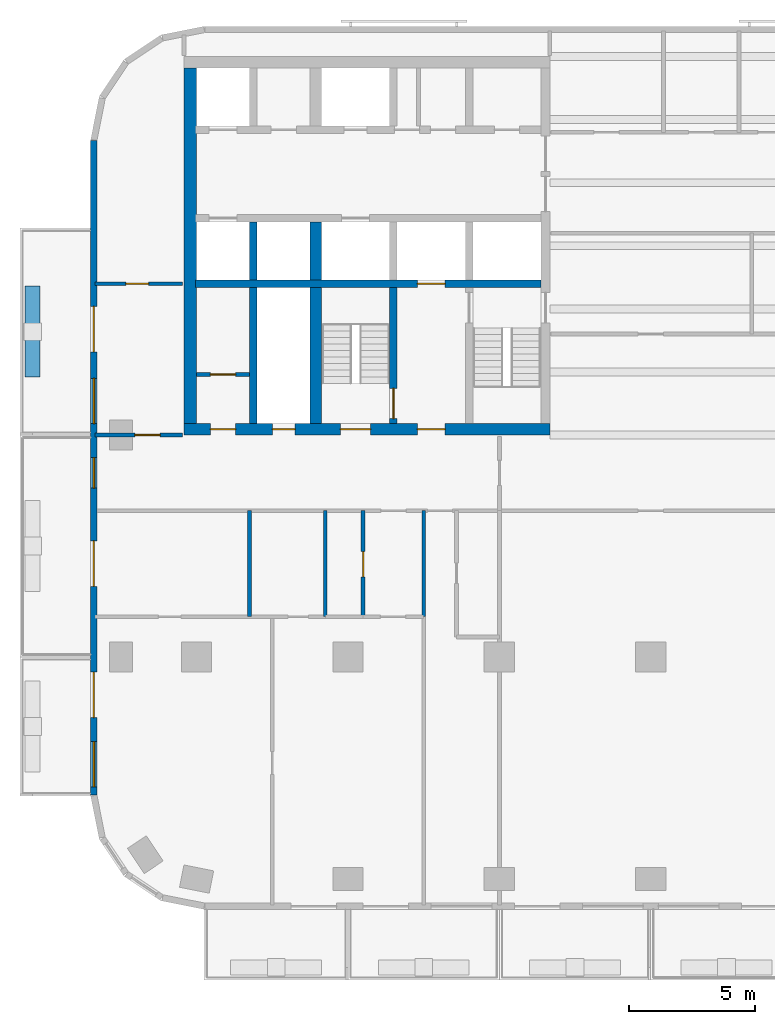
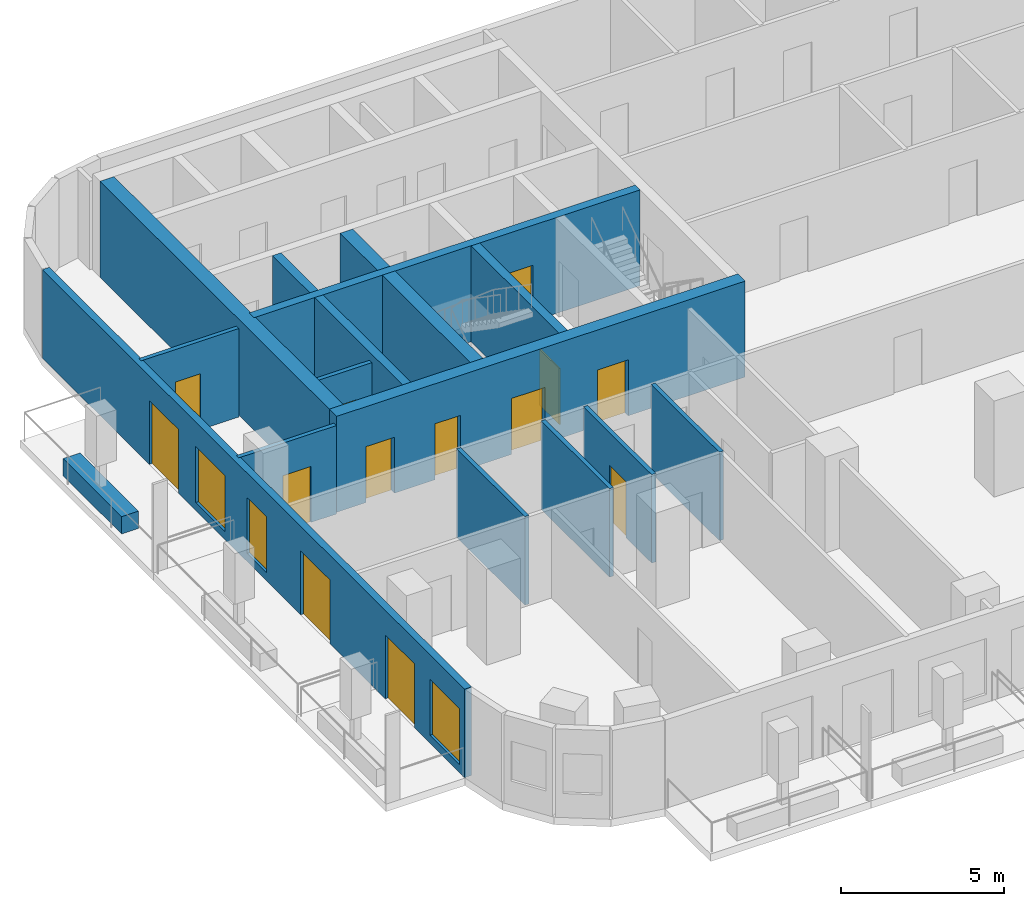
# One storey, part 3 of 11: 17 walls, 13 doors, 3 windows, 16 openings.
"""IFC4 building model written with IfcOpenShell, lengths in metres."""

from ifc_helpers import new_model, si_unit, direction, frame, frame_2d, origin, place, context, subcontext, project, spatial, rectangle, extrude, material, layer, layer_set, type_object, element, fill, save


model = new_model("IFC4")

# Units and contexts
model_context = context("Model", 3, precision=1e-05, world=origin(), true_north=direction((0.0, 1.0)))
body_context = subcontext(model_context, "Body", "Model", "MODEL_VIEW")
ifc_project = project(units=[si_unit("LENGTHUNIT", "METRE"), si_unit("AREAUNIT", "SQUARE_METRE"), si_unit("VOLUMEUNIT", "CUBIC_METRE"), si_unit("PLANEANGLEUNIT", "RADIAN"), si_unit("MASSUNIT", "GRAM", prefix="KILO")], contexts=[model_context])

# Site, building, storey
site_placement = place(None, origin())
site = spatial("IfcSite", under=ifc_project, at=site_placement, CompositionType="ELEMENT")
building_placement = place(site_placement, origin())
building = spatial("IfcBuilding", under=site, at=building_placement, Name="Torana Hotel and Residences", CompositionType="ELEMENT")
storey_placement = place(building_placement, frame((0.0, 0.0, 130.800048828125)))
storey = spatial("IfcBuildingStorey", under=building, at=storey_placement, Name="L33", CompositionType="ELEMENT", Elevation=130.800048828125)

# Wall, opening, door
ifc_material_1 = material(Name="Concrete C70/85", Category="concrete")
ifc_layer_1 = layer(ifc_material_1, 0.300048828125)
ifc_layer_set_1 = layer_set([ifc_layer_1], Name="CORE WALL 300 C70/85")
wall_type_1 = type_object("IfcWallType", Name="CORE WALL 300 C70/85", PredefinedType="SHEAR", material=ifc_layer_set_1)
wall_1_placement = place(storey_placement, frame((-24.050048828125, -9.0, 0.0), z_axis=(0.0, 0.0, 1.0), x_axis=(1.0, 0.0, 0.0)))
wall_1 = element("IfcWall", 1, at=wall_1_placement, inside=storey, type_object=wall_type_1, Name="Core wall W band", PredefinedType="SHEAR", context=body_context, shape_type="SweptSolid", body=[
    extrude(rectangle(XDim=13.699951171875, YDim=0.300048828125, at=frame_2d((6.85009765625, 0.0))), origin(), (0.0, 0.0, 1.0), 3.599853515625),
])
opening_1_placement = place(wall_1_placement, frame((8.800048828125, 0.0, 0.0)))
opening_1 = element("IfcOpeningElement", 2, at=opening_1_placement, cuts=wall_1, Name="Opening LD", PredefinedType="OPENING", context=body_context, shape_type="SweptSolid", body=[
    extrude(rectangle(XDim=1.10009765625, YDim=2.10009765625, at=frame_2d((0.550048828125, 1.050048828125))), frame((0.0, 0.159912109375, 0.0), z_axis=(0.0, -1.0, 0.0), x_axis=(1.0, 0.0, 0.0)), (0.0, 0.0, 1.0), 0.320068359375),
])
ifc_material_2 = material(Name="Stainless steel 316", Category="steel")
door_type_1 = type_object("IfcDoorType", Name="LIFT LANDING DOOR LD 1100x2100", OperationType="DOUBLE_DOOR_SLIDING", PredefinedType="USERDEFINED", material=ifc_material_2)
door_1_placement = place(opening_1_placement, origin())
door_1 = element("IfcDoor", 3, at=door_1_placement, inside=storey, type_object=door_type_1, Name="Lift landing door FF1 L33", ObjectType="LIFT LANDING DOOR", OperationType="DOUBLE_DOOR_SLIDING", OverallHeight=2.10009765625, OverallWidth=1.10009765625, PredefinedType="USERDEFINED", context=body_context, shape_type="SweptSolid", body=[
    extrude(rectangle(XDim=1.10009765625, YDim=2.10009765625, at=frame_2d((0.550048828125, 1.050048828125))), frame((0.0, 0.02490234375, 0.0), z_axis=(0.0, -1.0, 0.0), x_axis=(1.0, 0.0, 0.0)), (0.0, 0.0, 1.0), 0.050048828125),
])
fill(opening_1, door_1)

wall_2_placement = place(storey_placement, frame((-16.199951171875, -14.550048828125, 0.0), z_axis=(0.0, 0.0, 1.0), x_axis=(0.0, 1.0, 0.0)))
wall_2 = element("IfcWall", 4, at=wall_2_placement, inside=storey, type_object=wall_type_1, Name="Core wall W x6.05-band", PredefinedType="SHEAR", context=body_context, shape_type="SweptSolid", body=[
    extrude(rectangle(XDim=5.400146484375, YDim=0.300048828125, at=frame_2d((2.7001953125, 0.0))), origin(), (0.0, 0.0, 1.0), 3.599853515625),
])
opening_2_placement = place(wall_2_placement, frame((0.199951171875, 0.0, 0.0)))
opening_2 = element("IfcOpeningElement", 5, at=opening_2_placement, cuts=wall_2, Name="Opening L33-14", PredefinedType="OPENING", context=body_context, shape_type="SweptSolid", body=[
    extrude(rectangle(XDim=1.199951171875, YDim=2.10009765625, at=frame_2d((0.60009765625, 1.050048828125))), frame((0.0, 0.159912109375, 0.0), z_axis=(0.0, -1.0, 0.0), x_axis=(1.0, 0.0, 0.0)), (0.0, 0.0, 1.0), 0.320068359375),
])
ifc_material_3 = material(Name="Steel S235", Category="steel")
door_type_2 = type_object("IfcDoorType", Name="STAIR FIRE DOOR D3 1200x2100", OperationType="SINGLE_SWING_LEFT", PredefinedType="DOOR", material=ifc_material_3)
door_2_placement = place(opening_2_placement, origin())
door_2 = element("IfcDoor", 6, at=door_2_placement, inside=storey, type_object=door_type_2, Name="Stair-B-lobby door L33", OperationType="SINGLE_SWING_RIGHT", OverallHeight=2.10009765625, OverallWidth=1.199951171875, PredefinedType="DOOR", context=body_context, shape_type="SweptSolid", body=[
    extrude(rectangle(XDim=1.199951171875, YDim=2.10009765625, at=frame_2d((0.60009765625, 1.050048828125))), frame((0.0, 0.02490234375, 0.0), z_axis=(0.0, -1.0, 0.0), x_axis=(1.0, 0.0, 0.0)), (0.0, 0.0, 1.0), 0.050048828125),
])
fill(opening_2, door_2)

# Walls
wall_3_placement = place(storey_placement, frame((-21.75, -8.85009765625, 0.0), z_axis=(0.0, 0.0, 1.0), x_axis=(0.0, 1.0, 0.0)))
element("IfcWall", 7, at=wall_3_placement, inside=storey, type_object=wall_type_1, Name="Core wall W mm-S", PredefinedType="SHEAR", context=body_context, shape_type="SweptSolid", body=[
    extrude(rectangle(XDim=2.300048828125, YDim=0.300048828125, at=frame_2d((1.14990234375, 0.0))), origin(), (0.0, 0.0, 1.0), 3.599853515625),
])
wall_4_placement = place(storey_placement, frame((-21.75, -14.550048828125, 0.0), z_axis=(0.0, 0.0, 1.0), x_axis=(0.0, 1.0, 0.0)))
element("IfcWall", 8, at=wall_4_placement, inside=storey, type_object=wall_type_1, Name="Core wall W mm-band", PredefinedType="SHEAR", context=body_context, shape_type="SweptSolid", body=[
    extrude(rectangle(XDim=5.400146484375, YDim=0.300048828125, at=frame_2d((2.7001953125, 0.0))), origin(), (0.0, 0.0, 1.0), 3.599853515625),
])

# Wall, openings, doors
ifc_material_4 = material(Name="Concrete C70/85", Category="concrete")
ifc_layer_2 = layer(ifc_material_4, 0.449951171875)
ifc_layer_set_2 = layer_set([ifc_layer_2], Name="CORE WALL 450 C70/85")
wall_type_2 = type_object("IfcWallType", Name="CORE WALL 450 C70/85", PredefinedType="SHEAR", material=ifc_layer_set_2)
wall_5_placement = place(storey_placement, frame((-24.5, -14.77490234375, 0.0), z_axis=(0.0, 0.0, 1.0), x_axis=(1.0, 0.0, 0.0)))
wall_5 = element("IfcWall", 9, at=wall_5_placement, inside=storey, type_object=wall_type_2, Name="Core wall W front", PredefinedType="SHEAR", context=body_context, shape_type="SweptSolid", body=[
    extrude(rectangle(XDim=14.5, YDim=0.449951171875, at=frame_2d((7.25, 0.0))), origin(), (0.0, 0.0, 1.0), 3.599853515625),
])
opening_3_placement = place(wall_5_placement, frame((6.199951171875, 0.0, 0.0)))
opening_3 = element("IfcOpeningElement", 10, at=opening_3_placement, cuts=wall_5, Name="Opening L33-04", PredefinedType="OPENING", context=body_context, shape_type="SweptSolid", body=[
    extrude(rectangle(XDim=1.199951171875, YDim=2.10009765625, at=frame_2d((0.60009765625, 1.050048828125))), frame((0.0, 0.23486328125, 0.0), z_axis=(0.0, -1.0, 0.0), x_axis=(1.0, 0.0, 0.0)), (0.0, 0.0, 1.0), 0.469970703125),
])
opening_4_placement = place(wall_5_placement, frame((9.25, 0.0, 0.0)))
opening_4 = element("IfcOpeningElement", 11, at=opening_4_placement, cuts=wall_5, Name="Opening L33-05", PredefinedType="OPENING", context=body_context, shape_type="SweptSolid", body=[
    extrude(rectangle(XDim=1.10009765625, YDim=2.10009765625, at=frame_2d((0.550048828125, 1.050048828125))), frame((0.0, 0.23486328125, 0.0), z_axis=(0.0, -1.0, 0.0), x_axis=(1.0, 0.0, 0.0)), (0.0, 0.0, 1.0), 0.469970703125),
])
opening_5_placement = place(wall_5_placement, frame((3.5, 0.0, 0.0)))
opening_5 = element("IfcOpeningElement", 12, at=opening_5_placement, cuts=wall_5, Name="Opening L33-06", PredefinedType="OPENING", context=body_context, shape_type="SweptSolid", body=[
    extrude(rectangle(XDim=0.89990234375, YDim=2.10009765625, at=frame_2d((0.449951171875, 1.050048828125))), frame((0.0, 0.23486328125, 0.0), z_axis=(0.0, -1.0, 0.0), x_axis=(1.0, 0.0, 0.0)), (0.0, 0.0, 1.0), 0.469970703125),
])
opening_6_placement = place(wall_5_placement, frame((1.050048828125, 0.0, 0.0)))
opening_6 = element("IfcOpeningElement", 13, at=opening_6_placement, cuts=wall_5, Name="Opening L33-07", PredefinedType="OPENING", context=body_context, shape_type="SweptSolid", body=[
    extrude(rectangle(XDim=1.0, YDim=2.10009765625, at=frame_2d((0.5, 1.050048828125))), frame((0.0, 0.23486328125, 0.0), z_axis=(0.0, -1.0, 0.0), x_axis=(1.0, 0.0, 0.0)), (0.0, 0.0, 1.0), 0.469970703125),
])
ifc_material_5 = material(Name="Steel S235", Category="steel")
door_type_3 = type_object("IfcDoorType", Name="CORE ROOM FIRE DOOR D14 1000x2100", OperationType="SINGLE_SWING_LEFT", PredefinedType="DOOR", material=ifc_material_5)
door_3_placement = place(opening_6_placement, origin())
door_3 = element("IfcDoor", 14, at=door_3_placement, inside=storey, type_object=door_type_3, Name="M-Room-B door L33", OperationType="SINGLE_SWING_RIGHT", OverallHeight=2.10009765625, OverallWidth=1.0, PredefinedType="DOOR", context=body_context, shape_type="SweptSolid", body=[
    extrude(rectangle(XDim=1.0, YDim=2.10009765625, at=frame_2d((0.5, 1.050048828125))), frame((0.0, 0.02490234375, 0.0), z_axis=(0.0, -1.0, 0.0), x_axis=(1.0, 0.0, 0.0)), (0.0, 0.0, 1.0), 0.050048828125),
])
fill(opening_6, door_3)
ifc_material_6 = material(Name="Steel S235", Category="steel")
door_type_4 = type_object("IfcDoorType", Name="FIRE-FIGHTING LOBBY DOOR D8 1100x2100", OperationType="SINGLE_SWING_LEFT", PredefinedType="DOOR", material=ifc_material_6)
door_4_placement = place(opening_4_placement, origin())
door_4 = element("IfcDoor", 15, at=door_4_placement, inside=storey, type_object=door_type_4, Name="FF-lobby door L33", OperationType="SINGLE_SWING_RIGHT", OverallHeight=2.10009765625, OverallWidth=1.10009765625, PredefinedType="DOOR", context=body_context, shape_type="SweptSolid", body=[
    extrude(rectangle(XDim=1.10009765625, YDim=2.10009765625, at=frame_2d((0.550048828125, 1.050048828125))), frame((0.0, 0.02490234375, 0.0), z_axis=(0.0, -1.0, 0.0), x_axis=(1.0, 0.0, 0.0)), (0.0, 0.0, 1.0), 0.050048828125),
])
fill(opening_4, door_4)
ifc_material_7 = material(Name="Steel S235", Category="steel")
door_type_5 = type_object("IfcDoorType", Name="RISER ACCESS DOOR D5 900x2100", OperationType="SINGLE_SWING_LEFT", PredefinedType="DOOR", material=ifc_material_7)
door_5_placement = place(opening_5_placement, origin())
door_5 = element("IfcDoor", 16, at=door_5_placement, inside=storey, type_object=door_type_5, Name="M-Riser door L33", OperationType="SINGLE_SWING_RIGHT", OverallHeight=2.10009765625, OverallWidth=0.89990234375, PredefinedType="DOOR", context=body_context, shape_type="SweptSolid", body=[
    extrude(rectangle(XDim=0.89990234375, YDim=2.10009765625, at=frame_2d((0.449951171875, 1.050048828125))), frame((0.0, 0.02490234375, 0.0), z_axis=(0.0, -1.0, 0.0), x_axis=(1.0, 0.0, 0.0)), (0.0, 0.0, 1.0), 0.050048828125),
])
fill(opening_5, door_5)
door_6_placement = place(opening_3_placement, origin())
door_6 = element("IfcDoor", 17, at=door_6_placement, inside=storey, type_object=door_type_2, Name="Stair-B door L33", OperationType="SINGLE_SWING_RIGHT", OverallHeight=2.10009765625, OverallWidth=1.199951171875, PredefinedType="DOOR", context=body_context, shape_type="SweptSolid", body=[
    extrude(rectangle(XDim=1.199951171875, YDim=2.10009765625, at=frame_2d((0.60009765625, 1.050048828125))), frame((0.0, 0.02490234375, 0.0), z_axis=(0.0, -1.0, 0.0), x_axis=(1.0, 0.0, 0.0)), (0.0, 0.0, 1.0), 0.050048828125),
])
fill(opening_3, door_6)

# Walls
wall_6_placement = place(storey_placement, frame((-19.27490234375, -8.85009765625, 0.0), z_axis=(0.0, 0.0, 1.0), x_axis=(0.0, 1.0, 0.0)))
element("IfcWall", 18, at=wall_6_placement, inside=storey, type_object=wall_type_2, Name="Core wall W hm-S", PredefinedType="SHEAR", context=body_context, shape_type="SweptSolid", body=[
    extrude(rectangle(XDim=2.300048828125, YDim=0.449951171875, at=frame_2d((1.14990234375, 0.0))), origin(), (0.0, 0.0, 1.0), 3.599853515625),
])
wall_7_placement = place(storey_placement, frame((-19.27490234375, -14.550048828125, 0.0), z_axis=(0.0, 0.0, 1.0), x_axis=(0.0, 1.0, 0.0)))
element("IfcWall", 19, at=wall_7_placement, inside=storey, type_object=wall_type_2, Name="Core wall W hm-band", PredefinedType="SHEAR", context=body_context, shape_type="SweptSolid", body=[
    extrude(rectangle(XDim=5.400146484375, YDim=0.449951171875, at=frame_2d((2.7001953125, 0.0))), origin(), (0.0, 0.0, 1.0), 3.599853515625),
])
ifc_material_8 = material(Name="Concrete C70/85", Category="concrete")
ifc_layer_3 = layer(ifc_material_8, 0.5)
ifc_layer_set_3 = layer_set([ifc_layer_3], Name="CORE WALL 500 C70/85")
wall_type_3 = type_object("IfcWallType", Name="CORE WALL 500 C70/85", PredefinedType="SHEAR", material=ifc_layer_set_3)
wall_8_placement = place(storey_placement, frame((-24.25, -14.550048828125, 0.0), z_axis=(0.0, 0.0, 1.0), x_axis=(0.0, 1.0, 0.0)))
element("IfcWall", 20, at=wall_8_placement, inside=storey, type_object=wall_type_3, Name="Core wall W outer", PredefinedType="SHEAR", context=body_context, shape_type="SweptSolid", body=[
    extrude(rectangle(XDim=14.10009765625, YDim=0.5, at=frame_2d((7.050048828125, 0.0))), origin(), (0.0, 0.0, 1.0), 3.599853515625),
])

# Wall, openings, doors, windows
ifc_material_9 = material(Name="Black aluminium composite panel", Category="aluminium")
ifc_layer_4 = layer(ifc_material_9, 0.00390625, Name="Cladding", Category="cladding")
ifc_material_10 = material(Name="Ventilated air cavity")
ifc_layer_5 = layer(ifc_material_10, 0.0400390625, Name="Ventilated cavity", Category="cavity")
ifc_material_11 = material(Name="Mineral wool insulation")
ifc_layer_6 = layer(ifc_material_11, 0.090087890625, Name="Insulation", Category="insulation")
ifc_material_12 = material(Name="Steel S280GD", Category="steel")
ifc_layer_7 = layer(ifc_material_12, 0.092041015625, Name="Steel stud frame", Category="structure")
ifc_material_13 = material(Name="Fire rated plasterboard")
ifc_layer_8 = layer(ifc_material_13, 0.011962890625, Name="Inner board", Category="finish")
ifc_layer_9 = layer(ifc_material_13, 0.011962890625, Name="Second board", Category="finish")
ifc_layer_set_4 = layer_set([ifc_layer_4, ifc_layer_5, ifc_layer_6, ifc_layer_7, ifc_layer_8, ifc_layer_9], Name="EW1 EXTERNAL WALL BLACK METAL CLAD 250")
wall_type_4 = type_object("IfcWallType", Name="EW1 EXTERNAL WALL BLACK METAL CLAD 250", PredefinedType="SOLIDWALL", material=ifc_layer_set_4)
wall_9_placement = place(storey_placement, frame((-28.074951171875, -3.32470703125, 0.0), z_axis=(0.0, 0.0, 1.0), x_axis=(0.0, -1.0, 0.0)))
wall_9 = element("IfcWall", 21, at=wall_9_placement, inside=storey, type_object=wall_type_4, Name="External wall L33 e0.9", PredefinedType="SOLIDWALL", context=body_context, shape_type="SweptSolid", body=[
    extrude(rectangle(XDim=25.95068359375, YDim=0.25, at=frame_2d((12.975341796875, 0.0))), origin(), (0.0, 0.0, 1.0), 3.320068359375),
])
opening_7_placement = place(wall_9_placement, frame((6.575439453125, 0.0, 0.0)))
opening_7 = element("IfcOpeningElement", 22, at=opening_7_placement, cuts=wall_9, Name="Opening L33-E12", PredefinedType="OPENING", context=body_context, shape_type="SweptSolid", body=[
    extrude(rectangle(XDim=1.800048828125, YDim=2.39990234375, at=frame_2d((0.89990234375, 1.199951171875))), frame((0.0, 0.135009765625, 0.0), z_axis=(0.0, -1.0, 0.0), x_axis=(1.0, 0.0, 0.0)), (0.0, 0.0, 1.0), 0.27001953125),
])
opening_8_placement = place(wall_9_placement, frame((9.42529296875, 0.0, 0.300048828125)))
opening_8 = element("IfcOpeningElement", 23, at=opening_8_placement, cuts=wall_9, Name="Opening W2", PredefinedType="OPENING", context=body_context, shape_type="SweptSolid", body=[
    extrude(rectangle(XDim=1.800048828125, YDim=2.10009765625, at=frame_2d((0.89990234375, 1.050048828125))), frame((0.0, 0.135009765625, 0.0), z_axis=(0.0, -1.0, 0.0), x_axis=(1.0, 0.0, 0.0)), (0.0, 0.0, 1.0), 0.27001953125),
])
opening_9_placement = place(wall_9_placement, frame((12.575439453125, 0.0, 0.300048828125)))
opening_9 = element("IfcOpeningElement", 24, at=opening_9_placement, cuts=wall_9, Name="Opening W7", PredefinedType="OPENING", context=body_context, shape_type="SweptSolid", body=[
    extrude(rectangle(XDim=1.199951171875, YDim=2.10009765625, at=frame_2d((0.60009765625, 1.050048828125))), frame((0.0, 0.135009765625, 0.0), z_axis=(0.0, -1.0, 0.0), x_axis=(1.0, 0.0, 0.0)), (0.0, 0.0, 1.0), 0.27001953125),
])
opening_10_placement = place(wall_9_placement, frame((15.87548828125, 0.0, 0.0)))
opening_10 = element("IfcOpeningElement", 25, at=opening_10_placement, cuts=wall_9, Name="Opening L33-E13", PredefinedType="OPENING", context=body_context, shape_type="SweptSolid", body=[
    extrude(rectangle(XDim=1.800048828125, YDim=2.39990234375, at=frame_2d((0.89990234375, 1.199951171875))), frame((0.0, 0.135009765625, 0.0), z_axis=(0.0, -1.0, 0.0), x_axis=(1.0, 0.0, 0.0)), (0.0, 0.0, 1.0), 0.27001953125),
])
opening_11_placement = place(wall_9_placement, frame((21.075439453125, 0.0, 0.0)))
opening_11 = element("IfcOpeningElement", 26, at=opening_11_placement, cuts=wall_9, Name="Opening L33-E14", PredefinedType="OPENING", context=body_context, shape_type="SweptSolid", body=[
    extrude(rectangle(XDim=1.800048828125, YDim=2.39990234375, at=frame_2d((0.89990234375, 1.199951171875))), frame((0.0, 0.135009765625, 0.0), z_axis=(0.0, -1.0, 0.0), x_axis=(1.0, 0.0, 0.0)), (0.0, 0.0, 1.0), 0.27001953125),
])
opening_12_placement = place(wall_9_placement, frame((23.825439453125, 0.0, 0.300048828125)))
opening_12 = element("IfcOpeningElement", 27, at=opening_12_placement, cuts=wall_9, Name="Opening W2", PredefinedType="OPENING", context=body_context, shape_type="SweptSolid", body=[
    extrude(rectangle(XDim=1.800048828125, YDim=2.10009765625, at=frame_2d((0.89990234375, 1.050048828125))), frame((0.0, 0.135009765625, 0.0), z_axis=(0.0, -1.0, 0.0), x_axis=(1.0, 0.0, 0.0)), (0.0, 0.0, 1.0), 0.27001953125),
])
ifc_material_14 = material(Name="Dark glass in black aluminium frame", Category="aluminium")
door_type_6 = type_object("IfcDoorType", Name="DB1 BALCONY DOOR 1800x2400", OperationType="DOUBLE_DOOR_SINGLE_SWING", PredefinedType="DOOR", material=ifc_material_14)
door_7_placement = place(opening_7_placement, origin())
door_7 = element("IfcDoor", 28, at=door_7_placement, inside=storey, type_object=door_type_6, Name="Balcony door L33", OperationType="DOUBLE_DOOR_SINGLE_SWING", OverallHeight=2.39990234375, OverallWidth=1.800048828125, PredefinedType="DOOR", context=body_context, shape_type="SweptSolid", body=[
    extrude(rectangle(XDim=1.800048828125, YDim=2.39990234375, at=frame_2d((0.89990234375, 1.199951171875))), frame((0.0, 0.02490234375, 0.0), z_axis=(0.0, -1.0, 0.0), x_axis=(1.0, 0.0, 0.0)), (0.0, 0.0, 1.0), 0.050048828125),
])
fill(opening_7, door_7)
door_8_placement = place(opening_10_placement, origin())
door_8 = element("IfcDoor", 29, at=door_8_placement, inside=storey, type_object=door_type_6, Name="Balcony door L33", OperationType="DOUBLE_DOOR_SINGLE_SWING", OverallHeight=2.39990234375, OverallWidth=1.800048828125, PredefinedType="DOOR", context=body_context, shape_type="SweptSolid", body=[
    extrude(rectangle(XDim=1.800048828125, YDim=2.39990234375, at=frame_2d((0.89990234375, 1.199951171875))), frame((0.0, 0.02490234375, 0.0), z_axis=(0.0, -1.0, 0.0), x_axis=(1.0, 0.0, 0.0)), (0.0, 0.0, 1.0), 0.050048828125),
])
fill(opening_10, door_8)
door_9_placement = place(opening_11_placement, origin())
door_9 = element("IfcDoor", 30, at=door_9_placement, inside=storey, type_object=door_type_6, Name="Balcony door L33", OperationType="DOUBLE_DOOR_SINGLE_SWING", OverallHeight=2.39990234375, OverallWidth=1.800048828125, PredefinedType="DOOR", context=body_context, shape_type="SweptSolid", body=[
    extrude(rectangle(XDim=1.800048828125, YDim=2.39990234375, at=frame_2d((0.89990234375, 1.199951171875))), frame((0.0, 0.02490234375, 0.0), z_axis=(0.0, -1.0, 0.0), x_axis=(1.0, 0.0, 0.0)), (0.0, 0.0, 1.0), 0.050048828125),
])
fill(opening_11, door_9)
ifc_material_15 = material(Name="Dark glass in black aluminium frame", Category="aluminium")
window_type_1 = type_object("IfcWindowType", Name="W2 HOTEL ROOM WINDOW NARROW 1800x2100", PartitioningType="SINGLE_PANEL", PredefinedType="WINDOW", material=ifc_material_15)
window_1_placement = place(opening_8_placement, origin())
window_1 = element("IfcWindow", 31, at=window_1_placement, inside=storey, type_object=window_type_1, Name="Window L33", OverallHeight=2.10009765625, OverallWidth=1.800048828125, PartitioningType="SINGLE_PANEL", PredefinedType="WINDOW", context=body_context, shape_type="SweptSolid", body=[
    extrude(rectangle(XDim=1.800048828125, YDim=2.10009765625, at=frame_2d((0.89990234375, 1.050048828125))), frame((0.0, 0.030029296875, 0.0), z_axis=(0.0, -1.0, 0.0), x_axis=(1.0, 0.0, 0.0)), (0.0, 0.0, 1.0), 0.06005859375),
])
fill(opening_8, window_1)
window_2_placement = place(opening_12_placement, origin())
window_2 = element("IfcWindow", 32, at=window_2_placement, inside=storey, type_object=window_type_1, Name="Window L33", OverallHeight=2.10009765625, OverallWidth=1.800048828125, PartitioningType="SINGLE_PANEL", PredefinedType="WINDOW", context=body_context, shape_type="SweptSolid", body=[
    extrude(rectangle(XDim=1.800048828125, YDim=2.10009765625, at=frame_2d((0.89990234375, 1.050048828125))), frame((0.0, 0.030029296875, 0.0), z_axis=(0.0, -1.0, 0.0), x_axis=(1.0, 0.0, 0.0)), (0.0, 0.0, 1.0), 0.06005859375),
])
fill(opening_12, window_2)
ifc_material_16 = material(Name="Dark glass in black aluminium frame", Category="aluminium")
window_type_2 = type_object("IfcWindowType", Name="W7 HOTEL CORRIDOR WINDOW 1200x2100", PartitioningType="SINGLE_PANEL", PredefinedType="WINDOW", material=ifc_material_16)
window_3_placement = place(opening_9_placement, origin())
window_3 = element("IfcWindow", 33, at=window_3_placement, inside=storey, type_object=window_type_2, Name="Window L33", OverallHeight=2.10009765625, OverallWidth=1.199951171875, PartitioningType="SINGLE_PANEL", PredefinedType="WINDOW", context=body_context, shape_type="SweptSolid", body=[
    extrude(rectangle(XDim=1.199951171875, YDim=2.10009765625, at=frame_2d((0.60009765625, 1.050048828125))), frame((0.0, 0.030029296875, 0.0), z_axis=(0.0, -1.0, 0.0), x_axis=(1.0, 0.0, 0.0)), (0.0, 0.0, 1.0), 0.06005859375),
])
fill(opening_9, window_3)

# Wall, opening, door
ifc_material_17 = material(Name="Gypsum plaster")
ifc_layer_10 = layer(ifc_material_17, 0.014892578125, Name="Plaster", Category="finish")
ifc_material_18 = material(Name="Concrete blockwork", Category="masonry")
ifc_layer_11 = layer(ifc_material_18, 0.1201171875, Name="Blockwork", Category="structure")
ifc_layer_12 = layer(ifc_material_17, 0.014892578125, Name="Plaster", Category="finish")
ifc_layer_set_5 = layer_set([ifc_layer_10, ifc_layer_11, ifc_layer_12], Name="FIRE PARTITION 150 BLOCKWORK")
wall_type_5 = type_object("IfcWallType", Name="FIRE PARTITION 150 BLOCKWORK", PredefinedType="PARTITIONING", material=ifc_layer_set_5)
wall_10_placement = place(storey_placement, frame((-24.0, -12.60009765625, 0.0), z_axis=(0.0, 0.0, 1.0), x_axis=(1.0, 0.0, 0.0)))
wall_10 = element("IfcWall", 34, at=wall_10_placement, inside=storey, type_object=wall_type_5, Name="Core partition L33", PredefinedType="PARTITIONING", context=body_context, shape_type="SweptSolid", body=[
    extrude(rectangle(XDim=2.10009765625, YDim=0.14990234375, at=frame_2d((1.050048828125, 0.0))), origin(), (0.0, 0.0, 1.0), 3.300048828125),
])
opening_13_placement = place(wall_10_placement, frame((0.550048828125, 0.0, 0.0)))
opening_13 = element("IfcOpeningElement", 35, at=opening_13_placement, cuts=wall_10, Name="Opening L33-29", PredefinedType="OPENING", context=body_context, shape_type="SweptSolid", body=[
    extrude(rectangle(XDim=1.0, YDim=2.10009765625, at=frame_2d((0.5, 1.050048828125))), frame((0.0, 0.0849609375, 0.0), z_axis=(0.0, -1.0, 0.0), x_axis=(1.0, 0.0, 0.0)), (0.0, 0.0, 1.0), 0.169921875),
])
door_10_placement = place(opening_13_placement, origin())
door_10 = element("IfcDoor", 36, at=door_10_placement, inside=storey, type_object=door_type_3, Name="Plant room door L33", OperationType="SINGLE_SWING_RIGHT", OverallHeight=2.10009765625, OverallWidth=1.0, PredefinedType="DOOR", context=body_context, shape_type="SweptSolid", body=[
    extrude(rectangle(XDim=1.0, YDim=2.10009765625, at=frame_2d((0.5, 1.050048828125))), frame((0.0, 0.02490234375, 0.0), z_axis=(0.0, -1.0, 0.0), x_axis=(1.0, 0.0, 0.0)), (0.0, 0.0, 1.0), 0.050048828125),
])
fill(opening_13, door_10)

# Wall
wall_11_placement = place(storey_placement, frame((-15.0, -22.199951171875, 0.0), z_axis=(0.0, 0.0, 1.0), x_axis=(0.0, 1.0, 0.0)))
element("IfcWall", 37, at=wall_11_placement, inside=storey, type_object=wall_type_5, Name="Partition L33", PredefinedType="PARTITIONING", context=body_context, shape_type="SweptSolid", body=[
    extrude(rectangle(XDim=4.199951171875, YDim=0.14990234375, at=frame_2d((2.10009765625, 0.0))), origin(), (0.0, 0.0, 1.0), 3.320068359375),
])

# Wall, opening, door
wall_12_placement = place(storey_placement, frame((-17.39990234375, -22.199951171875, 0.0), z_axis=(0.0, 0.0, 1.0), x_axis=(0.0, 1.0, 0.0)))
wall_12 = element("IfcWall", 38, at=wall_12_placement, inside=storey, type_object=wall_type_5, Name="Partition L33", PredefinedType="PARTITIONING", context=body_context, shape_type="SweptSolid", body=[
    extrude(rectangle(XDim=4.199951171875, YDim=0.14990234375, at=frame_2d((2.10009765625, 0.0))), origin(), (0.0, 0.0, 1.0), 3.320068359375),
])
opening_14_placement = place(wall_12_placement, frame((1.580078125, 0.0, 0.0)))
opening_14 = element("IfcOpeningElement", 39, at=opening_14_placement, cuts=wall_12, Name="Opening L33-54", PredefinedType="OPENING", context=body_context, shape_type="SweptSolid", body=[
    extrude(rectangle(XDim=1.0, YDim=2.10009765625, at=frame_2d((0.5, 1.050048828125))), frame((0.0, 0.0849609375, 0.0), z_axis=(0.0, -1.0, 0.0), x_axis=(1.0, 0.0, 0.0)), (0.0, 0.0, 1.0), 0.169921875),
])
ifc_material_19 = material(Name="Steel S235", Category="steel")
door_type_7 = type_object("IfcDoorType", Name="ENTRY FIRE DOOR D6 1000x2100", OperationType="SINGLE_SWING_LEFT", PredefinedType="DOOR", material=ifc_material_19)
door_11_placement = place(opening_14_placement, origin())
door_11 = element("IfcDoor", 40, at=door_11_placement, inside=storey, type_object=door_type_7, Name="Door L33", OperationType="SINGLE_SWING_RIGHT", OverallHeight=2.10009765625, OverallWidth=1.0, PredefinedType="DOOR", context=body_context, shape_type="SweptSolid", body=[
    extrude(rectangle(XDim=1.0, YDim=2.10009765625, at=frame_2d((0.5, 1.050048828125))), frame((0.0, 0.02490234375, 0.0), z_axis=(0.0, -1.0, 0.0), x_axis=(1.0, 0.0, 0.0)), (0.0, 0.0, 1.0), 0.050048828125),
])
fill(opening_14, door_11)

wall_13_placement = place(storey_placement, frame((-28.02001953125, -15.0, 0.0), z_axis=(0.0, 0.0, 1.0), x_axis=(1.0, 0.0, 0.0)))
wall_13 = element("IfcWall", 41, at=wall_13_placement, inside=storey, type_object=wall_type_5, Name="Partition L33", PredefinedType="PARTITIONING", context=body_context, shape_type="SweptSolid", body=[
    extrude(rectangle(XDim=3.469970703125, YDim=0.14990234375, at=frame_2d((1.73486328125, 0.0))), origin(), (0.0, 0.0, 1.0), 3.320068359375),
])
opening_15_placement = place(wall_13_placement, frame((1.570068359375, 0.0, 0.0)))
opening_15 = element("IfcOpeningElement", 42, at=opening_15_placement, cuts=wall_13, Name="Opening L33-34", PredefinedType="OPENING", context=body_context, shape_type="SweptSolid", body=[
    extrude(rectangle(XDim=1.0, YDim=2.10009765625, at=frame_2d((0.5, 1.050048828125))), frame((0.0, 0.0849609375, 0.0), z_axis=(0.0, -1.0, 0.0), x_axis=(1.0, 0.0, 0.0)), (0.0, 0.0, 1.0), 0.169921875),
])
door_12_placement = place(opening_15_placement, origin())
door_12 = element("IfcDoor", 43, at=door_12_placement, inside=storey, type_object=door_type_3, Name="Door L33", OperationType="SINGLE_SWING_RIGHT", OverallHeight=2.10009765625, OverallWidth=1.0, PredefinedType="DOOR", context=body_context, shape_type="SweptSolid", body=[
    extrude(rectangle(XDim=1.0, YDim=2.10009765625, at=frame_2d((0.5, 1.050048828125))), frame((0.0, 0.02490234375, 0.0), z_axis=(0.0, -1.0, 0.0), x_axis=(1.0, 0.0, 0.0)), (0.0, 0.0, 1.0), 0.050048828125),
])
fill(opening_15, door_12)

# Wall
ifc_material_20 = material(Name="Gypsum plasterboard")
ifc_layer_13 = layer(ifc_material_20, 0.012451171875, Name="Plasterboard", Category="finish")
ifc_layer_14 = layer(ifc_material_20, 0.012451171875, Name="Plasterboard", Category="finish")
ifc_layer_15 = layer(ifc_material_12, 0.10009765625, Name="Steel studs with mineral wool", Category="insulation")
ifc_layer_16 = layer(ifc_material_20, 0.012451171875, Name="Plasterboard", Category="finish")
ifc_layer_17 = layer(ifc_material_20, 0.012451171875, Name="Plasterboard", Category="finish")
ifc_layer_set_6 = layer_set([ifc_layer_13, ifc_layer_14, ifc_layer_15, ifc_layer_16, ifc_layer_17], Name="PARTITION 150 PLASTERBOARD")
wall_type_6 = type_object("IfcWallType", Name="PARTITION 150 PLASTERBOARD", PredefinedType="PARTITIONING", material=ifc_layer_set_6)
wall_14_placement = place(storey_placement, frame((-21.89990234375, -22.199951171875, 0.0), z_axis=(0.0, 0.0, 1.0), x_axis=(0.0, 1.0, 0.0)))
element("IfcWall", 44, at=wall_14_placement, inside=storey, type_object=wall_type_6, Name="Partition L33", PredefinedType="PARTITIONING", context=body_context, shape_type="SweptSolid", body=[
    extrude(rectangle(XDim=4.199951171875, YDim=0.14990234375, at=frame_2d((2.10009765625, 0.0))), origin(), (0.0, 0.0, 1.0), 3.320068359375),
])

# Wall, opening, door
wall_15_placement = place(storey_placement, frame((-28.02001953125, -9.0, 0.0), z_axis=(0.0, 0.0, 1.0), x_axis=(1.0, 0.0, 0.0)))
wall_15 = element("IfcWall", 45, at=wall_15_placement, inside=storey, type_object=wall_type_6, Name="Partition L33", PredefinedType="PARTITIONING", context=body_context, shape_type="SweptSolid", body=[
    extrude(rectangle(XDim=3.469970703125, YDim=0.14990234375, at=frame_2d((1.73486328125, 0.0))), origin(), (0.0, 0.0, 1.0), 3.320068359375),
])
opening_16_placement = place(wall_15_placement, frame((1.219970703125, 0.0, 0.0)))
opening_16 = element("IfcOpeningElement", 46, at=opening_16_placement, cuts=wall_15, Name="Opening L33-64", PredefinedType="OPENING", context=body_context, shape_type="SweptSolid", body=[
    extrude(rectangle(XDim=0.89990234375, YDim=2.10009765625, at=frame_2d((0.449951171875, 1.050048828125))), frame((0.0, 0.0849609375, 0.0), z_axis=(0.0, -1.0, 0.0), x_axis=(1.0, 0.0, 0.0)), (0.0, 0.0, 1.0), 0.169921875),
])
ifc_material_21 = material(Name="Timber door, oiled ash", Category="wood")
door_type_8 = type_object("IfcDoorType", Name="ROOM DOOR D7 900x2100", OperationType="SINGLE_SWING_LEFT", PredefinedType="DOOR", material=ifc_material_21)
door_13_placement = place(opening_16_placement, origin())
door_13 = element("IfcDoor", 47, at=door_13_placement, inside=storey, type_object=door_type_8, Name="Door L33", OperationType="SINGLE_SWING_RIGHT", OverallHeight=2.10009765625, OverallWidth=0.89990234375, PredefinedType="DOOR", context=body_context, shape_type="SweptSolid", body=[
    extrude(rectangle(XDim=0.89990234375, YDim=2.10009765625, at=frame_2d((0.449951171875, 1.050048828125))), frame((0.0, 0.02490234375, 0.0), z_axis=(0.0, -1.0, 0.0), x_axis=(1.0, 0.0, 0.0)), (0.0, 0.0, 1.0), 0.050048828125),
])
fill(opening_16, door_13)

# Walls
ifc_material_22 = material(Name="Concrete C40/50 precast", Category="concrete")
ifc_layer_18 = layer(ifc_material_22, 0.10009765625, Name="Planter shell", Category="structure")
ifc_material_23 = material(Name="Root resistant membrane")
ifc_layer_19 = layer(ifc_material_23, 0.00390625, Name="Waterproofing membrane", Category="membrane")
ifc_material_24 = material(Name="Drainage board with filter fleece")
ifc_layer_20 = layer(ifc_material_24, 0.02001953125, Name="Drainage board", Category="drainage")
ifc_material_25 = material(Name="Growing medium")
ifc_layer_21 = layer(ifc_material_25, 0.47607421875, Name="Planting substrate", Category="soil")
ifc_layer_set_7 = layer_set([ifc_layer_18, ifc_layer_19, ifc_layer_20, ifc_layer_21], Name="PL1 BALCONY PLANTER 600")
wall_type_7 = type_object("IfcWallType", Name="PL1 BALCONY PLANTER 600", PredefinedType="USERDEFINED", material=ifc_layer_set_7)
wall_16_placement = place(storey_placement, frame((-30.5, -12.699951171875, 0.0), z_axis=(0.0, 0.0, 1.0), x_axis=(0.0, 1.0, 0.0)))
element("IfcWall", 48, at=wall_16_placement, inside=storey, type_object=wall_type_7, Name="Planter 11", ObjectType="PLANTER", PredefinedType="USERDEFINED", context=body_context, shape_type="SweptSolid", body=[
    extrude(rectangle(XDim=3.599853515625, YDim=0.60009765625, at=frame_2d((1.7998046875, 0.0))), origin(), (0.0, 0.0, 1.0), 0.64990234375),
])
ifc_material_26 = material(Name="Ceramic tile on adhesive")
ifc_layer_22 = layer(ifc_material_26, 0.010009765625, Name="Wall tile", Category="finish")
ifc_material_27 = material(Name="Cement render")
ifc_layer_23 = layer(ifc_material_27, 0.010009765625, Name="Render", Category="finish")
ifc_layer_24 = layer(ifc_material_18, 0.110107421875, Name="Blockwork", Category="structure")
ifc_layer_25 = layer(ifc_material_27, 0.010009765625, Name="Render", Category="finish")
ifc_layer_26 = layer(ifc_material_26, 0.010009765625, Name="Wall tile", Category="finish")
ifc_layer_set_8 = layer_set([ifc_layer_22, ifc_layer_23, ifc_layer_24, ifc_layer_25, ifc_layer_26], Name="WC PARTITION 150")
wall_type_8 = type_object("IfcWallType", Name="WC PARTITION 150", PredefinedType="PLUMBINGWALL", material=ifc_layer_set_8)
wall_17_placement = place(storey_placement, frame((-18.89990234375, -22.199951171875, 0.0), z_axis=(0.0, 0.0, 1.0), x_axis=(0.0, 1.0, 0.0)))
element("IfcWall", 49, at=wall_17_placement, inside=storey, type_object=wall_type_8, Name="Partition L33", PredefinedType="PLUMBINGWALL", context=body_context, shape_type="SweptSolid", body=[
    extrude(rectangle(XDim=4.199951171875, YDim=0.14990234375, at=frame_2d((2.10009765625, 0.0))), origin(), (0.0, 0.0, 1.0), 3.320068359375),
])

save(model, "model.ifc")
